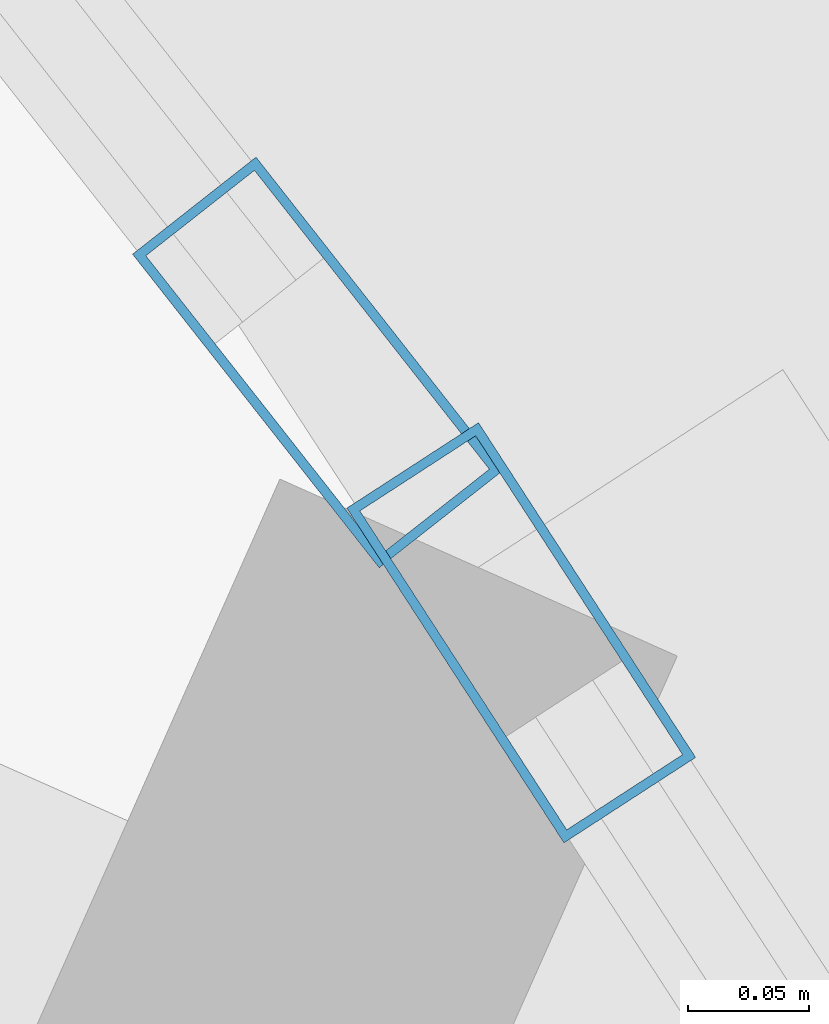
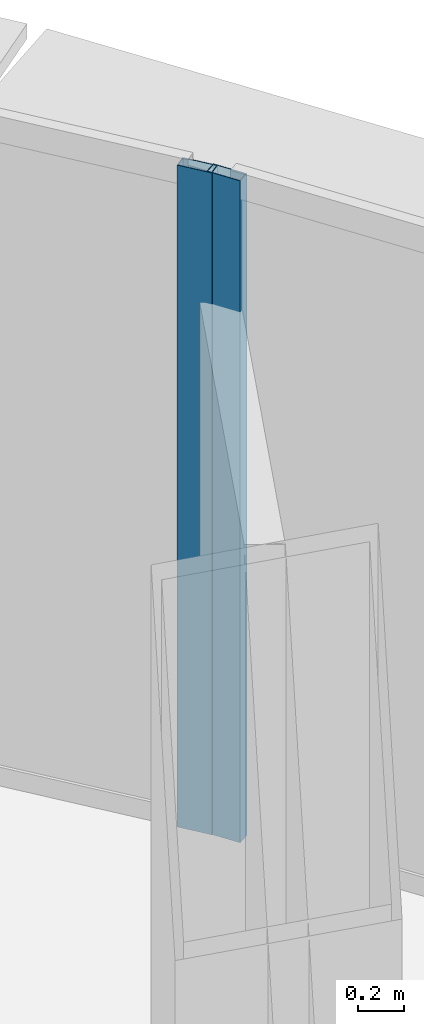
# One storey, part 18 of 37: 2 members, 2 elements without a shape of their own.
"""IFC4 building model written with IfcOpenShell, lengths in metres."""

import ifcopenshell
import ifcopenshell.guid

model = None  # the IFC model being written
_history = None  # IfcOwnerHistory: only IFC2X3 demands one
_inside = {}  # id of a spatial element -> (the spatial element, [elements in it])
_under = {}  # id of a project, library or spatial element -> (it, [spatial elements below it])
_declared = {}  # id of a project -> (the project, [libraries it declares])
_typed = {}  # id of a type object -> (the type object, [elements of that type])
_made_of = {}  # id of a material, layer set ... -> (it, [elements and type objects made of it])


def new_model(schema):
    """Start an empty IFC model of exactly this schema.

    Asked for "IFC4X3", IfcOpenShell would pick the latest addendum, in which some entities
    have other attributes; the version numbers below select the first issue.
    IFC2X3 requires an IfcOwnerHistory on every rooted entity: one is made here for all.
    """
    global model, _history
    if schema == "IFC4X3":
        model = ifcopenshell.file(schema_version=(4, 3, 0, 0))
    else:
        model = ifcopenshell.file(schema=schema)
    _inside.clear()
    _under.clear()
    _declared.clear()
    _typed.clear()
    _made_of.clear()
    _history = None
    if model.schema == "IFC2X3":
        org = make("IfcOrganization", Name="unknown")
        user = make(
            "IfcPersonAndOrganization",
            ThePerson=make("IfcPerson", FamilyName="unknown"),
            TheOrganization=org,
        )
        app = make(
            "IfcApplication",
            ApplicationDeveloper=org,
            Version="unknown",
            ApplicationFullName="unknown",
            ApplicationIdentifier="unknown",
        )
        _history = make(
            "IfcOwnerHistory",
            OwningUser=user,
            OwningApplication=app,
            ChangeAction="ADDED",
            CreationDate=0,
        )
    return model


def make(cls, **values):
    """One entity of the class cls with the attributes given. An attribute that is None is left unset."""
    return model.create_entity(
        cls, **{name: value for name, value in values.items() if value is not None}
    )


def rooted(cls, **values):
    """An entity with a GlobalId (a new one), such as an element, a storey or a relation."""
    return make(cls, GlobalId=ifcopenshell.guid.new(), OwnerHistory=_history, **values)


def si_unit(unit_type, name, prefix=None):
    """IfcSIUnit, for example si_unit("LENGTHUNIT", "METRE", prefix="MILLI")."""
    return make("IfcSIUnit", UnitType=unit_type, Prefix=prefix, Name=name)


def assignment(units):
    """IfcUnitAssignment: the units of a project."""
    return None if units is None else make("IfcUnitAssignment", Units=units)


def point(xyz):
    """IfcCartesianPoint."""
    return None if xyz is None else make("IfcCartesianPoint", Coordinates=xyz)


def direction(xyz):
    """IfcDirection."""
    return None if xyz is None else make("IfcDirection", DirectionRatios=xyz)


def frame(location, z_axis=None, x_axis=None):
    """IfcAxis2Placement3D, a coordinate frame: its origin and axes. An axis left out is left unset."""
    return make(
        "IfcAxis2Placement3D",
        Location=point(location),
        Axis=direction(z_axis),
        RefDirection=direction(x_axis),
    )


def frame_2d(location, x_axis=None):
    """IfcAxis2Placement2D, a coordinate frame in the plane: its origin and x axis."""
    return make(
        "IfcAxis2Placement2D", Location=point(location), RefDirection=direction(x_axis)
    )


def origin():
    """The frame at (0, 0, 0) with its axes left unset."""
    return frame((0.0, 0.0, 0.0))


def origin_2d():
    """The frame at (0, 0) in the plane with its x axis left unset."""
    return frame_2d((0.0, 0.0))


def place(relative_to, where):
    """IfcLocalPlacement: puts the frame where relative to a parent placement (None: the world)."""
    return make(
        "IfcLocalPlacement", PlacementRelTo=relative_to, RelativePlacement=where
    )


def context(
    kind, dimensions, precision=None, world=None, true_north=None, identifier=None
):
    """IfcGeometricRepresentationContext, for example the 3D "Model" context."""
    return make(
        "IfcGeometricRepresentationContext",
        ContextIdentifier=identifier,
        ContextType=kind,
        CoordinateSpaceDimension=dimensions,
        Precision=precision,
        WorldCoordinateSystem=world,
        TrueNorth=true_north,
    )


def subcontext(parent, identifier, kind, view, scale=None):
    """IfcGeometricRepresentationSubContext, for example "Body" below "Model"."""
    return make(
        "IfcGeometricRepresentationSubContext",
        ContextIdentifier=identifier,
        ContextType=kind,
        ParentContext=parent,
        TargetScale=scale,
        TargetView=view,
    )


def project(units=None, contexts=None):
    """IfcProject with its units and contexts."""
    return rooted(
        "IfcProject",
        Name="project",
        RepresentationContexts=contexts,
        UnitsInContext=assignment(units),
    )


def spatial(cls, under=None, at=None, **own):
    """A site, building, storey or space (cls), placed at a placement, below another one or the project."""
    s = rooted(cls, ObjectPlacement=at, **own)
    if under is not None:
        _under.setdefault(under.id(), (under, []))[1].append(s)
    return s


def profile(cls, at=None, kind="AREA", **sizes):
    """A parametric profile (cls). Its sizes go by their IFC names, for example OverallWidth=200.0."""
    return make(cls, ProfileType=kind, Position=at, **sizes)


def hollow_rectangle(**sizes):
    """IfcRectangleHollowProfileDef."""
    return profile("IfcRectangleHollowProfileDef", **sizes)


def extrude(swept, where, along, depth):
    """IfcExtrudedAreaSolid: the profile swept, set in the frame where, extruded along a direction by depth."""
    return make(
        "IfcExtrudedAreaSolid",
        SweptArea=swept,
        Position=where,
        ExtrudedDirection=direction(along),
        Depth=depth,
    )


def shape(context_of_items, identifier, shape_type, items):
    """IfcShapeRepresentation: the items that make up one representation, for example the "Body"."""
    return make(
        "IfcShapeRepresentation",
        ContextOfItems=context_of_items,
        RepresentationIdentifier=identifier,
        RepresentationType=shape_type,
        Items=items,
    )


def source(mapping_origin, context_of_items, identifier, shape_type, items):
    """IfcRepresentationMap: a shape defined once, which mapped items show again and again."""
    return make(
        "IfcRepresentationMap",
        MappingOrigin=mapping_origin,
        MappedRepresentation=shape(context_of_items, identifier, shape_type, items),
    )


def transform(
    local_origin,
    x_axis=None,
    y_axis=None,
    z_axis=None,
    scale=None,
    scale2=None,
    scale3=None,
    uniform=True,
):
    """IfcCartesianTransformationOperator3D, or its non-uniform kind. x_axis, y_axis, z_axis: its Axis1, 2, 3."""
    if uniform:
        return make(
            "IfcCartesianTransformationOperator3D",
            Axis1=direction(x_axis),
            Axis2=direction(y_axis),
            LocalOrigin=point(local_origin),
            Scale=scale,
            Axis3=direction(z_axis),
        )
    return make(
        "IfcCartesianTransformationOperator3DnonUniform",
        Axis1=direction(x_axis),
        Axis2=direction(y_axis),
        LocalOrigin=point(local_origin),
        Scale=scale,
        Axis3=direction(z_axis),
        Scale2=scale2,
        Scale3=scale3,
    )


def mapped(mapping_source, mapping_target):
    """IfcMappedItem: shows the shape of a source again, moved by a transform."""
    return make(
        "IfcMappedItem", MappingSource=mapping_source, MappingTarget=mapping_target
    )


def material(Name=None, Category=None):
    """IfcMaterial."""
    return make("IfcMaterial", Name=Name, Category=Category)


def layer(
    of_material, thickness, ventilated=None, Name=None, Category=None, Priority=None
):
    """IfcMaterialLayer: one layer of a wall or slab, of a material (None: an air gap)."""
    return make(
        "IfcMaterialLayer",
        Material=of_material,
        LayerThickness=thickness,
        IsVentilated=ventilated,
        Name=Name,
        Category=Category,
        Priority=Priority,
    )


def layer_set(layers, Name=None):
    """IfcMaterialLayerSet."""
    return make("IfcMaterialLayerSet", MaterialLayers=layers, LayerSetName=Name)


def material_profile(
    of_material, cross_section, Name=None, Category=None, Priority=None
):
    """IfcMaterialProfile: a cross section and its material."""
    return make(
        "IfcMaterialProfile",
        Name=Name,
        Material=of_material,
        Profile=cross_section,
        Priority=Priority,
        Category=Category,
    )


def profile_set(profiles, Name=None, composite=None):
    """IfcMaterialProfileSet."""
    return make(
        "IfcMaterialProfileSet",
        Name=Name,
        MaterialProfiles=profiles,
        CompositeProfile=composite,
    )


def made_of(thing, what):
    """Note that an element or type object is made of a material, layer set ...; save() writes the relation."""
    if what is not None:
        _made_of.setdefault(what.id(), (what, []))[1].append(thing)
    return thing


def type_object(cls, material=None, **own):
    """A type object (cls), such as IfcWallType, which elements share."""
    return made_of(rooted(cls, **own), material)


def element(
    cls,
    number,
    at=None,
    inside=None,
    cuts=None,
    type_object=None,
    material=None,
    context=None,
    identifier="Body",
    shape_type=None,
    held_by="IfcProductDefinitionShape",
    body=None,
    shapes=None,
    **own,
):
    """One element of the class cls, such as IfcWall. Its Tag is "e" and its number.

    at: its placement. inside: the storey or other place that contains it. cuts: it is an
    opening in that element (IfcRelVoidsElement). A single representation is given by context,
    identifier, shape_type and body (its items); several are given by shapes. held_by: the class
    of the entity that holds the representations. save() writes the other relations.
    """
    e = rooted(cls, Tag="e%d" % number, ObjectPlacement=at, **own)
    if body is not None:
        shapes = [shape(context, identifier, shape_type, body)]
    if shapes is not None:
        e.Representation = make(held_by, Representations=shapes)
    if inside is not None:
        _inside.setdefault(inside.id(), (inside, []))[1].append(e)
    if cuts is not None:
        rooted(
            "IfcRelVoidsElement", RelatingBuildingElement=cuts, RelatedOpeningElement=e
        )
    if type_object is not None:
        _typed.setdefault(type_object.id(), (type_object, []))[1].append(e)
    return made_of(e, material)


def aggregate(whole, parts):
    """IfcRelAggregates: a whole, such as a stair, and the parts it consists of."""
    return rooted("IfcRelAggregates", RelatingObject=whole, RelatedObjects=parts)


def save(model, path):
    """Write the relations noted so far, then the file.

    IfcRelAggregates (storeys below a building ...), IfcRelContainedInSpatialStructure (elements
    in a storey), IfcRelDefinesByType, IfcRelAssociatesMaterial and IfcRelDeclares: one each for
    every whole, place, type object, material and project.
    """
    for whole, parts in _under.values():
        aggregate(whole, parts)
    for where, things in _inside.values():
        rooted(
            "IfcRelContainedInSpatialStructure",
            RelatedElements=things,
            RelatingStructure=where,
        )
    for kind, things in _typed.values():
        rooted("IfcRelDefinesByType", RelatedObjects=things, RelatingType=kind)
    for what, things in _made_of.values():
        rooted("IfcRelAssociatesMaterial", RelatedObjects=things, RelatingMaterial=what)
    for by, libraries in _declared.values():
        rooted("IfcRelDeclares", RelatingContext=by, RelatedDefinitions=libraries)
    model.write(path)


model = new_model("IFC4")

# Units and contexts
model_context = context("Model", 3, precision=1e-05, world=origin(), true_north=direction((0.0, 1.0)))
body_context = subcontext(model_context, "Body", "Model", "MODEL_VIEW")
ifc_project = project(units=[si_unit("LENGTHUNIT", "METRE"), si_unit("AREAUNIT", "SQUARE_METRE"), si_unit("VOLUMEUNIT", "CUBIC_METRE"), si_unit("PLANEANGLEUNIT", "RADIAN"), si_unit("MASSUNIT", "GRAM", prefix="KILO"), si_unit("THERMODYNAMICTEMPERATUREUNIT", "KELVIN"), si_unit("POWERUNIT", "WATT")], contexts=[model_context])

# Site, building, storey
site_placement = place(None, origin())
site = spatial("IfcSite", under=ifc_project, at=site_placement, CompositionType="ELEMENT")
building_placement = place(site_placement, origin())
building = spatial("IfcBuilding", under=site, at=building_placement, Name="Yunzhuo Pagoda Commons", CompositionType="ELEMENT")
storey_placement = place(building_placement, frame((0.0, 0.0, 84.97998046875)))
storey = spatial("IfcBuildingStorey", under=building, at=storey_placement, Name="L21", CompositionType="ELEMENT", Elevation=84.97998046875)

# Curtain wall, member
ifc_material = material(Name="Anodized aluminium 6063-T6", Category="aluminium")
ifc_layer = layer(ifc_material, 0.1650390625)
ifc_layer_set = layer_set([ifc_layer], Name="Anodized aluminium 6063-T6")
curtain_wall_type = type_object("IfcCurtainWallType", Name="CW-LOW Low-Zone Ribbon Curtain Wall", PredefinedType="NOTDEFINED", material=ifc_layer_set)
curtain_wall_1_placement = place(storey_placement, origin())
curtain_wall_1 = element("IfcCurtainWall", 1, at=curtain_wall_1_placement, inside=storey, type_object=curtain_wall_type, Name="L21 curtain wall CW-L21-F2B4", PredefinedType="NOTDEFINED")
ifc_material_profile = material_profile(ifc_material, hollow_rectangle(XDim=0.06494140625, YDim=0.1650390625, WallThickness=0.00390625, at=origin_2d()), Name="Anodized aluminium 6063-T6")
ifc_profile_set = profile_set([ifc_material_profile], Name="Anodized aluminium 6063-T6")
member_type = type_object("IfcMemberType", Name="CW-LOW-M Mullion RHS 165x65x4", PredefinedType="MULLION", material=ifc_profile_set)
shared_shape = source(origin(), body_context, "Body", "SweptSolid", [
    extrude(hollow_rectangle(XDim=0.06494140625, YDim=0.1650390625, WallThickness=0.00390625, at=origin_2d()), origin(), (0.0, 0.0, 1.0), 3.5400390625),
])
member_1_placement = place(storey_placement, frame((64.921630859375, 71.639892578125, 0.000244140625), z_axis=(0.0, 0.0, 1.0), x_axis=(-0.838906636672, -0.544275348466, 0.0)))
member_1 = element("IfcMember", 2, at=member_1_placement, type_object=member_type, Name="CW mullion 2", PredefinedType="MULLION", context=body_context, shape_type="MappedRepresentation", body=[
    mapped(shared_shape, transform((0.0, 0.0, 0.0), scale=1.0)),
])
aggregate(curtain_wall_1, [member_1])

curtain_wall_2_placement = place(storey_placement, origin())
curtain_wall_2 = element("IfcCurtainWall", 3, at=curtain_wall_2_placement, inside=storey, type_object=curtain_wall_type, Name="L21 curtain wall CW-L21-F2B5", PredefinedType="NOTDEFINED")
member_2_placement = place(storey_placement, frame((64.83740234375, 71.751708984375, 0.000244140625), z_axis=(0.0, 0.0, 1.0), x_axis=(-0.786130948635, -0.618059974111, 0.0)))
member_2 = element("IfcMember", 4, at=member_2_placement, type_object=member_type, Name="CW mullion 1", PredefinedType="MULLION", context=body_context, shape_type="MappedRepresentation", body=[
    mapped(shared_shape, transform((0.0, 0.0, 0.0), scale=1.0)),
])
aggregate(curtain_wall_2, [member_2])

save(model, "model.ifc")
